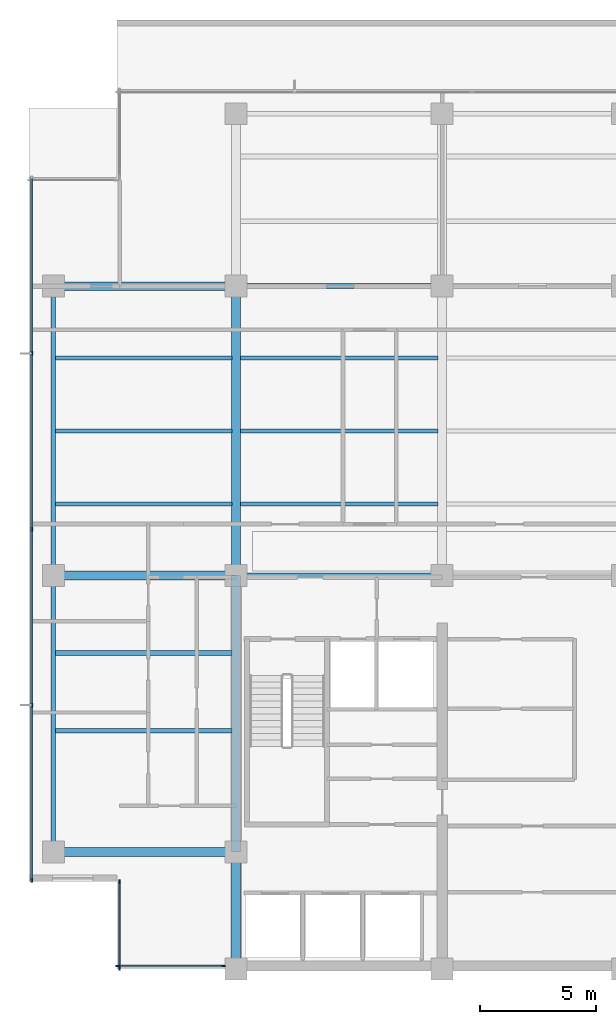
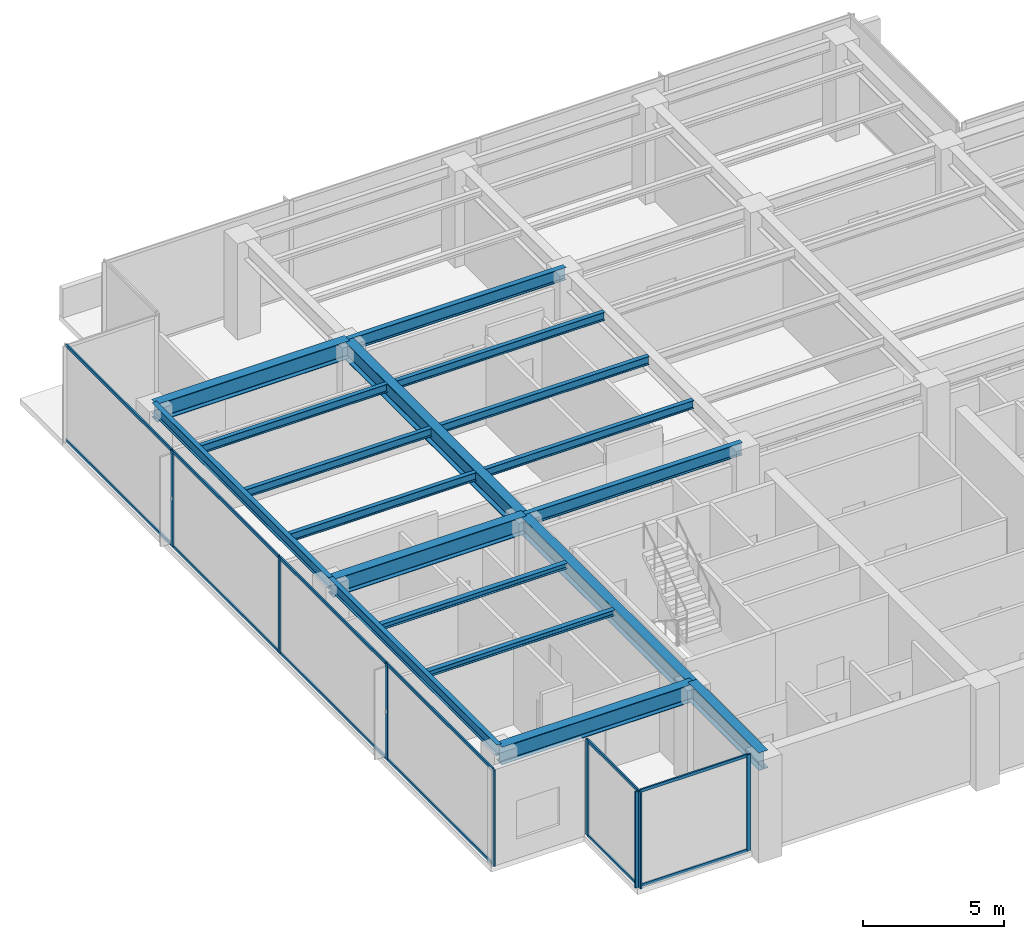
# One storey, part 2 of 14: 20 members, 18 beams, 3 elements without a shape of their own.
"""IFC4 building model written with IfcOpenShell, lengths in metres."""

from ifc_helpers import new_model, si_unit, direction, frame, origin, origin_2d, place, context, subcontext, project, spatial, rectangle, i_section, extrude, material, layer, layer_set, material_profile, profile_set, type_object, element, aggregate, save


model = new_model("IFC4")

# Units and contexts
model_context = context("Model", 3, precision=1e-05, world=origin(), true_north=direction((0.0, 1.0)))
body_context = subcontext(model_context, "Body", "Model", "MODEL_VIEW")
ifc_project = project(units=[si_unit("LENGTHUNIT", "METRE"), si_unit("AREAUNIT", "SQUARE_METRE"), si_unit("VOLUMEUNIT", "CUBIC_METRE"), si_unit("PLANEANGLEUNIT", "RADIAN"), si_unit("MASSUNIT", "GRAM", prefix="KILO")], contexts=[model_context])

# Site, building, storey
site_placement = place(None, origin())
site = spatial("IfcSite", under=ifc_project, at=site_placement, CompositionType="ELEMENT")
building_placement = place(site_placement, origin())
building = spatial("IfcBuilding", under=site, at=building_placement, Name="Qalmaran Belvedere Hotel", CompositionType="ELEMENT")
storey_placement = place(building_placement, frame((0.0, 0.0, 192.5)))
storey = spatial("IfcBuildingStorey", under=building, at=storey_placement, Name="L48", CompositionType="ELEMENT", Elevation=192.5)

# Beams
ifc_material_1 = material(Name="Steel S355JR", Category="steel")
ifc_material_profile_1 = material_profile(ifc_material_1, i_section(OverallWidth=0.201904296875, OverallDepth=0.2470703125, WebThickness=0.00732421875, FlangeThickness=0.010986328125, FilletRadius=0.011962890625, at=origin_2d()), Name="W250X49")
ifc_profile_set_1 = profile_set([ifc_material_profile_1], Name="Steel S355JR")
beam_type_1 = type_object("IfcBeamType", Name="BM-JST-W250X49", PredefinedType="JOIST", material=ifc_profile_set_1)
for number, where, z_axis, x_axis, name in (
    (1, (12.493896484375, 13.800048828125, 4.03662109375), (1.0, 0.0, 0.0), (0.0, 1.0, 0.0), "L48 West Wing Joist 043"),
    (2, (12.493896484375, 17.14990234375, 4.03662109375), (1.0, 0.0, 0.0), (0.0, 1.0, 0.0), "L48 West Wing Joist 045"),
):
    element("IfcBeam", number, at=place(storey_placement, frame(where, z_axis=z_axis, x_axis=x_axis)), inside=storey, type_object=beam_type_1, Name=name, PredefinedType="JOIST", context=body_context, shape_type="SweptSolid", body=[
        extrude(i_section(OverallWidth=0.201904296875, OverallDepth=0.2470703125, WebThickness=0.00732421875, FlangeThickness=0.010986328125, FilletRadius=0.011962890625, at=origin_2d()), origin(), (0.0, 0.0, 1.0), 7.61767578125),
    ])
ifc_material_profile_2 = material_profile(ifc_material_1, i_section(OverallWidth=0.381103515625, OverallDepth=0.77294921875, WebThickness=0.0166015625, FlangeThickness=0.027099609375, FilletRadius=0.02197265625, at=origin_2d()), Name="W760X257")
ifc_profile_set_2 = profile_set([ifc_material_profile_2], Name="Steel S355JR")
beam_type_2 = type_object("IfcBeamType", Name="BM-PG4-W760X257", PredefinedType="USERDEFINED", material=ifc_profile_set_2)
beam_1_placement = place(storey_placement, frame((20.300048828125, 20.5, 3.7734375), z_axis=(0.0, 1.0, 0.0), x_axis=(-1.0, 0.0, 0.0)))
element("IfcBeam", 3, at=beam_1_placement, inside=storey, type_object=beam_type_2, Name="L48 Mid-Plate N-S Girder 14", ObjectType="GIRDER", PredefinedType="USERDEFINED", context=body_context, shape_type="SweptSolid", body=[
    extrude(i_section(OverallWidth=0.381103515625, OverallDepth=0.77294921875, WebThickness=0.0166015625, FlangeThickness=0.027099609375, FilletRadius=0.02197265625, at=origin_2d()), origin(), (0.0, 0.0, 1.0), 12.5),
])
for number, where, z_axis, x_axis, name in (
    (4, (12.39990234375, 8.550048828125, 3.7734375), (1.0, 0.0, 0.0), (0.0, 1.0, 0.0), "L48 West Wing Girder 22"),
    (5, (12.39990234375, 20.5, 3.7734375), (1.0, 0.0, 0.0), (0.0, 1.0, 0.0), "L48 West Wing Girder 23"),
    (6, (12.39990234375, 33.0, 3.7734375), (1.0, 0.0, 0.0), (0.0, 1.0, 0.0), "L48 West Wing Girder 24"),
):
    element("IfcBeam", number, at=place(storey_placement, frame(where, z_axis=z_axis, x_axis=x_axis)), inside=storey, type_object=beam_type_2, Name=name, ObjectType="GIRDER", PredefinedType="USERDEFINED", context=body_context, shape_type="SweptSolid", body=[
        extrude(i_section(OverallWidth=0.381103515625, OverallDepth=0.77294921875, WebThickness=0.0166015625, FlangeThickness=0.027099609375, FilletRadius=0.02197265625, at=origin_2d()), origin(), (0.0, 0.0, 1.0), 7.900146484375),
    ])
beam_2_placement = place(storey_placement, frame((20.300048828125, 3.5, 3.7734375), z_axis=(0.0, 1.0, 0.0), x_axis=(-1.0, 0.0, 0.0)))
element("IfcBeam", 7, at=beam_2_placement, inside=storey, type_object=beam_type_2, Name="L48 West Core Edge Girder A", ObjectType="GIRDER", PredefinedType="USERDEFINED", context=body_context, shape_type="SweptSolid", body=[
    extrude(i_section(OverallWidth=0.381103515625, OverallDepth=0.77294921875, WebThickness=0.0166015625, FlangeThickness=0.027099609375, FilletRadius=0.02197265625, at=origin_2d()), origin(), (0.0, 0.0, 1.0), 5.050048828125),
])
beam_3_placement = place(storey_placement, frame((20.300048828125, 8.550048828125, 3.7734375), z_axis=(0.0, 1.0, 0.0), x_axis=(-1.0, 0.0, 0.0)))
element("IfcBeam", 8, at=beam_3_placement, inside=storey, type_object=beam_type_2, Name="L48 West Core Edge Girder B", ObjectType="GIRDER", PredefinedType="USERDEFINED", context=body_context, shape_type="SweptSolid", body=[
    extrude(i_section(OverallWidth=0.381103515625, OverallDepth=0.77294921875, WebThickness=0.0166015625, FlangeThickness=0.027099609375, FilletRadius=0.02197265625, at=origin_2d()), origin(), (0.0, 0.0, 1.0), 11.949951171875),
])
ifc_material_profile_3 = material_profile(ifc_material_1, i_section(OverallWidth=0.172119140625, OverallDepth=0.35791015625, WebThickness=0.0078125, FlangeThickness=0.01318359375, FilletRadius=0.014892578125, at=origin_2d()), Name="W360X57")
ifc_profile_set_3 = profile_set([ifc_material_profile_3], Name="Steel S355JR")
beam_type_3 = type_object("IfcBeamType", Name="BM-SB4-W360X57", PredefinedType="BEAM", material=ifc_profile_set_3)
beam_4_placement = place(storey_placement, frame((12.493896484375, 23.60009765625, 3.98095703125), z_axis=(1.0, 0.0, 0.0), x_axis=(0.0, 1.0, 0.0)))
element("IfcBeam", 9, at=beam_4_placement, inside=storey, type_object=beam_type_3, Name="L48 West Secondary Beam 028", PredefinedType="BEAM", context=body_context, shape_type="SweptSolid", body=[
    extrude(i_section(OverallWidth=0.172119140625, OverallDepth=0.35791015625, WebThickness=0.0078125, FlangeThickness=0.01318359375, FilletRadius=0.014892578125, at=origin_2d()), origin(), (0.0, 0.0, 1.0), 7.61767578125),
])
beam_5_placement = place(storey_placement, frame((20.488525390625, 23.60009765625, 3.98095703125), z_axis=(1.0, 0.0, 0.0), x_axis=(0.0, 1.0, 0.0)))
element("IfcBeam", 10, at=beam_5_placement, inside=storey, type_object=beam_type_3, Name="L48 Secondary Floor Beam 029", PredefinedType="BEAM", context=body_context, shape_type="SweptSolid", body=[
    extrude(i_section(OverallWidth=0.172119140625, OverallDepth=0.35791015625, WebThickness=0.0078125, FlangeThickness=0.01318359375, FilletRadius=0.014892578125, at=origin_2d()), origin(), (0.0, 0.0, 1.0), 8.52294921875),
])
beam_6_placement = place(storey_placement, frame((12.493896484375, 26.75, 3.98095703125), z_axis=(1.0, 0.0, 0.0), x_axis=(0.0, 1.0, 0.0)))
element("IfcBeam", 11, at=beam_6_placement, inside=storey, type_object=beam_type_3, Name="L48 West Secondary Beam 033", PredefinedType="BEAM", context=body_context, shape_type="SweptSolid", body=[
    extrude(i_section(OverallWidth=0.172119140625, OverallDepth=0.35791015625, WebThickness=0.0078125, FlangeThickness=0.01318359375, FilletRadius=0.014892578125, at=origin_2d()), origin(), (0.0, 0.0, 1.0), 7.61767578125),
])
beam_7_placement = place(storey_placement, frame((20.488525390625, 26.75, 3.98095703125), z_axis=(1.0, 0.0, 0.0), x_axis=(0.0, 1.0, 0.0)))
element("IfcBeam", 12, at=beam_7_placement, inside=storey, type_object=beam_type_3, Name="L48 Secondary Floor Beam 034", PredefinedType="BEAM", context=body_context, shape_type="SweptSolid", body=[
    extrude(i_section(OverallWidth=0.172119140625, OverallDepth=0.35791015625, WebThickness=0.0078125, FlangeThickness=0.01318359375, FilletRadius=0.014892578125, at=origin_2d()), origin(), (0.0, 0.0, 1.0), 8.52294921875),
])
beam_8_placement = place(storey_placement, frame((12.493896484375, 29.89990234375, 3.98095703125), z_axis=(1.0, 0.0, 0.0), x_axis=(0.0, 1.0, 0.0)))
element("IfcBeam", 13, at=beam_8_placement, inside=storey, type_object=beam_type_3, Name="L48 West Secondary Beam 038", PredefinedType="BEAM", context=body_context, shape_type="SweptSolid", body=[
    extrude(i_section(OverallWidth=0.172119140625, OverallDepth=0.35791015625, WebThickness=0.0078125, FlangeThickness=0.01318359375, FilletRadius=0.014892578125, at=origin_2d()), origin(), (0.0, 0.0, 1.0), 7.61767578125),
])
beam_9_placement = place(storey_placement, frame((20.488525390625, 29.89990234375, 3.98095703125), z_axis=(1.0, 0.0, 0.0), x_axis=(0.0, 1.0, 0.0)))
element("IfcBeam", 14, at=beam_9_placement, inside=storey, type_object=beam_type_3, Name="L48 Secondary Floor Beam 039", PredefinedType="BEAM", context=body_context, shape_type="SweptSolid", body=[
    extrude(i_section(OverallWidth=0.172119140625, OverallDepth=0.35791015625, WebThickness=0.0078125, FlangeThickness=0.01318359375, FilletRadius=0.014892578125, at=origin_2d()), origin(), (0.0, 0.0, 1.0), 8.52294921875),
])
ifc_material_profile_4 = material_profile(ifc_material_1, i_section(OverallWidth=0.19189453125, OverallDepth=0.462890625, WebThickness=0.010498046875, FlangeThickness=0.017578125, FilletRadius=0.01611328125, at=origin_2d()), Name="W460X89")
ifc_profile_set_4 = profile_set([ifc_material_profile_4], Name="Steel S355JR")
beam_type_4 = type_object("IfcBeamType", Name="BM-SP2-W460X89", PredefinedType="SPANDREL", material=ifc_profile_set_4)
beam_10_placement = place(storey_placement, frame((12.39990234375, 8.550048828125, 3.928466796875), z_axis=(0.0, 1.0, 0.0), x_axis=(-1.0, 0.0, 0.0)))
element("IfcBeam", 15, at=beam_10_placement, inside=storey, type_object=beam_type_4, Name="L48 Perimeter Spandrel 01", PredefinedType="SPANDREL", context=body_context, shape_type="SweptSolid", body=[
    extrude(i_section(OverallWidth=0.19189453125, OverallDepth=0.462890625, WebThickness=0.010498046875, FlangeThickness=0.017578125, FilletRadius=0.01611328125, at=origin_2d()), origin(), (0.0, 0.0, 1.0), 11.949951171875),
])
beam_11_placement = place(storey_placement, frame((12.39990234375, 20.5, 3.928466796875), z_axis=(0.0, 1.0, 0.0), x_axis=(-1.0, 0.0, 0.0)))
element("IfcBeam", 16, at=beam_11_placement, inside=storey, type_object=beam_type_4, Name="L48 Perimeter Spandrel 02", PredefinedType="SPANDREL", context=body_context, shape_type="SweptSolid", body=[
    extrude(i_section(OverallWidth=0.19189453125, OverallDepth=0.462890625, WebThickness=0.010498046875, FlangeThickness=0.017578125, FilletRadius=0.01611328125, at=origin_2d()), origin(), (0.0, 0.0, 1.0), 12.5),
])
ifc_material_profile_5 = material_profile(ifc_material_1, i_section(OverallWidth=0.2109375, OverallDepth=0.5390625, WebThickness=0.01171875, FlangeThickness=0.018798828125, FilletRadius=0.01806640625, at=origin_2d()), Name="W530X109")
ifc_profile_set_5 = profile_set([ifc_material_profile_5], Name="Steel S355JR")
beam_type_5 = type_object("IfcBeamType", Name="BM-Z4-W530X109", PredefinedType="USERDEFINED", material=ifc_profile_set_5)
for number, where, z_axis, x_axis, name in (
    (17, (20.300048828125, 20.5, 3.890380859375), (1.0, 0.0, 0.0), (0.0, 1.0, 0.0), "L48 Interior E-W Girder 08"),
    (18, (20.300048828125, 33.0, 3.890380859375), (1.0, 0.0, 0.0), (0.0, 1.0, 0.0), "L48 Interior E-W Girder 11"),
):
    element("IfcBeam", number, at=place(storey_placement, frame(where, z_axis=z_axis, x_axis=x_axis)), inside=storey, type_object=beam_type_5, Name=name, ObjectType="GIRDER", PredefinedType="USERDEFINED", context=body_context, shape_type="SweptSolid", body=[
        extrude(i_section(OverallWidth=0.2109375, OverallDepth=0.5390625, WebThickness=0.01171875, FlangeThickness=0.018798828125, FilletRadius=0.01806640625, at=origin_2d()), origin(), (0.0, 0.0, 1.0), 8.89990234375),
    ])

# Curtain wall, members
ifc_material_2 = material(Name="Anodised Bronze Aluminium", Category="aluminium")
ifc_layer = layer(ifc_material_2, 0.18994140625, Name="Anodised Bronze Aluminium")
ifc_layer_set = layer_set([ifc_layer], Name="Anodised Bronze Aluminium")
curtain_wall_type = type_object("IfcCurtainWallType", Name="CW5-TOWER-UPPER", PredefinedType="NOTDEFINED", material=ifc_layer_set)
curtain_wall_1_placement = place(storey_placement, origin())
curtain_wall_1 = element("IfcCurtainWall", 19, at=curtain_wall_1_placement, inside=storey, type_object=curtain_wall_type, Name="L48 Curtain Wall CW5", PredefinedType="NOTDEFINED")
ifc_material_profile_6 = material_profile(ifc_material_2, rectangle(XDim=0.06494140625, YDim=0.1650390625, at=origin_2d()), Name="CWM65X165")
ifc_profile_set_6 = profile_set([ifc_material_profile_6], Name="Anodised Bronze Aluminium")
member_type_1 = type_object("IfcMemberType", Name="CWM-65X165", PredefinedType="MULLION", material=ifc_profile_set_6)
member_1_placement = place(storey_placement, frame((15.1826171875, 3.6201171875, 0.0), z_axis=(0.0, 0.0, 1.0), x_axis=(0.0, 1.0, 0.0)))
member_1 = element("IfcMember", 20, at=member_1_placement, type_object=member_type_1, Name="CW5 mullion 1", PredefinedType="MULLION", context=body_context, shape_type="SweptSolid", body=[
    extrude(rectangle(XDim=0.06494140625, YDim=0.1650390625, at=origin_2d()), origin(), (0.0, 0.0, 1.0), 4.159912109375),
])
member_2_placement = place(storey_placement, frame((19.75244140625, 3.6201171875, 0.0), z_axis=(0.0, 0.0, 1.0), x_axis=(0.0, 1.0, 0.0)))
member_2 = element("IfcMember", 21, at=member_2_placement, type_object=member_type_1, Name="CW5 mullion 2", PredefinedType="MULLION", context=body_context, shape_type="SweptSolid", body=[
    extrude(rectangle(XDim=0.06494140625, YDim=0.1650390625, at=origin_2d()), origin(), (0.0, 0.0, 1.0), 4.159912109375),
])

curtain_wall_2_placement = place(storey_placement, origin())
curtain_wall_2 = element("IfcCurtainWall", 22, at=curtain_wall_2_placement, inside=storey, type_object=curtain_wall_type, Name="L48 Curtain Wall CW5", PredefinedType="NOTDEFINED")
member_3_placement = place(storey_placement, frame((11.469970703125, 30.10009765625, 0.0), z_axis=(0.0, 0.0, 1.0), x_axis=(1.0, 0.0, 0.0)))
member_3 = element("IfcMember", 23, at=member_3_placement, type_object=member_type_1, Name="CW5 mullion 2", PredefinedType="MULLION", context=body_context, shape_type="SweptSolid", body=[
    extrude(rectangle(XDim=0.06494140625, YDim=0.1650390625, at=origin_2d()), origin(), (0.0, 0.0, 1.0), 4.159912109375),
])
member_4_placement = place(storey_placement, frame((11.469970703125, 22.5, 0.0), z_axis=(0.0, 0.0, 1.0), x_axis=(1.0, 0.0, 0.0)))
member_4 = element("IfcMember", 24, at=member_4_placement, type_object=member_type_1, Name="CW5 mullion 3", PredefinedType="MULLION", context=body_context, shape_type="SweptSolid", body=[
    extrude(rectangle(XDim=0.06494140625, YDim=0.1650390625, at=origin_2d()), origin(), (0.0, 0.0, 1.0), 4.159912109375),
])
member_5_placement = place(storey_placement, frame((11.469970703125, 14.89990234375, 0.0), z_axis=(0.0, 0.0, 1.0), x_axis=(1.0, 0.0, 0.0)))
member_5 = element("IfcMember", 25, at=member_5_placement, type_object=member_type_1, Name="CW5 mullion 4", PredefinedType="MULLION", context=body_context, shape_type="SweptSolid", body=[
    extrude(rectangle(XDim=0.06494140625, YDim=0.1650390625, at=origin_2d()), origin(), (0.0, 0.0, 1.0), 4.159912109375),
])
member_6_placement = place(storey_placement, frame((11.469970703125, 7.33251953125, 0.0), z_axis=(0.0, 0.0, 1.0), x_axis=(1.0, 0.0, 0.0)))
member_6 = element("IfcMember", 26, at=member_6_placement, type_object=member_type_1, Name="CW5 mullion 5", PredefinedType="MULLION", context=body_context, shape_type="SweptSolid", body=[
    extrude(rectangle(XDim=0.06494140625, YDim=0.1650390625, at=origin_2d()), origin(), (0.0, 0.0, 1.0), 4.159912109375),
])

curtain_wall_3_placement = place(storey_placement, origin())
curtain_wall_3 = element("IfcCurtainWall", 27, at=curtain_wall_3_placement, inside=storey, type_object=curtain_wall_type, Name="L48 Curtain Wall CW5", PredefinedType="NOTDEFINED")
member_7_placement = place(storey_placement, frame((15.27001953125, 7.267578125, 0.0), z_axis=(0.0, 0.0, 1.0), x_axis=(1.0, 0.0, 0.0)))
member_7 = element("IfcMember", 28, at=member_7_placement, type_object=member_type_1, Name="CW5 mullion 1", PredefinedType="MULLION", context=body_context, shape_type="SweptSolid", body=[
    extrude(rectangle(XDim=0.06494140625, YDim=0.1650390625, at=origin_2d()), origin(), (0.0, 0.0, 1.0), 4.159912109375),
])
member_8_placement = place(storey_placement, frame((15.27001953125, 3.532470703125, 0.0), z_axis=(0.0, 0.0, 1.0), x_axis=(1.0, 0.0, 0.0)))
member_8 = element("IfcMember", 29, at=member_8_placement, type_object=member_type_1, Name="CW5 mullion 2", PredefinedType="MULLION", context=body_context, shape_type="SweptSolid", body=[
    extrude(rectangle(XDim=0.06494140625, YDim=0.1650390625, at=origin_2d()), origin(), (0.0, 0.0, 1.0), 4.159912109375),
])

# Member
ifc_material_profile_7 = material_profile(ifc_material_2, rectangle(XDim=0.06494140625, YDim=0.1298828125, at=origin_2d()), Name="CWT65X130")
ifc_profile_set_7 = profile_set([ifc_material_profile_7], Name="Anodised Bronze Aluminium")
member_type_2 = type_object("IfcMemberType", Name="CWT-65X130", PredefinedType="USERDEFINED", material=ifc_profile_set_7)
member_9_placement = place(storey_placement, frame((15.215087890625, 3.6201171875, 0.032470703125), z_axis=(1.0, 0.0, 0.0), x_axis=(0.0, 1.0, 0.0)))
member_9 = element("IfcMember", 30, at=member_9_placement, type_object=member_type_2, Name="CW5 transom 1.1", ObjectType="TRANSOM", PredefinedType="USERDEFINED", context=body_context, shape_type="SweptSolid", body=[
    extrude(rectangle(XDim=0.06494140625, YDim=0.1298828125, at=origin_2d()), origin(), (0.0, 0.0, 1.0), 4.5048828125),
])

member_10_placement = place(storey_placement, frame((15.215087890625, 3.6201171875, 4.12744140625), z_axis=(1.0, 0.0, 0.0), x_axis=(0.0, 1.0, 0.0)))
member_10 = element("IfcMember", 31, at=member_10_placement, type_object=member_type_2, Name="CW5 transom 1.2", ObjectType="TRANSOM", PredefinedType="USERDEFINED", context=body_context, shape_type="SweptSolid", body=[
    extrude(rectangle(XDim=0.06494140625, YDim=0.1298828125, at=origin_2d()), origin(), (0.0, 0.0, 1.0), 4.5048828125),
])

aggregate(curtain_wall_1, [member_1, member_2, member_9, member_10])

member_11_placement = place(storey_placement, frame((11.469970703125, 37.635009765625, 0.032470703125), z_axis=(0.0, -1.0, 0.0), x_axis=(1.0, 0.0, 0.0)))
member_11 = element("IfcMember", 32, at=member_11_placement, type_object=member_type_2, Name="CW5 transom 1.1", ObjectType="TRANSOM", PredefinedType="USERDEFINED", context=body_context, shape_type="SweptSolid", body=[
    extrude(rectangle(XDim=0.06494140625, YDim=0.1298828125, at=origin_2d()), origin(), (0.0, 0.0, 1.0), 7.50244140625),
])

member_12_placement = place(storey_placement, frame((11.469970703125, 37.635009765625, 4.12744140625), z_axis=(0.0, -1.0, 0.0), x_axis=(1.0, 0.0, 0.0)))
member_12 = element("IfcMember", 33, at=member_12_placement, type_object=member_type_2, Name="CW5 transom 1.2", ObjectType="TRANSOM", PredefinedType="USERDEFINED", context=body_context, shape_type="SweptSolid", body=[
    extrude(rectangle(XDim=0.06494140625, YDim=0.1298828125, at=origin_2d()), origin(), (0.0, 0.0, 1.0), 7.50244140625),
])

member_13_placement = place(storey_placement, frame((11.469970703125, 30.0673828125, 0.032470703125), z_axis=(0.0, -1.0, 0.0), x_axis=(1.0, 0.0, 0.0)))
member_13 = element("IfcMember", 34, at=member_13_placement, type_object=member_type_2, Name="CW5 transom 2.1", ObjectType="TRANSOM", PredefinedType="USERDEFINED", context=body_context, shape_type="SweptSolid", body=[
    extrude(rectangle(XDim=0.06494140625, YDim=0.1298828125, at=origin_2d()), origin(), (0.0, 0.0, 1.0), 7.534912109375),
])

member_14_placement = place(storey_placement, frame((11.469970703125, 30.0673828125, 4.12744140625), z_axis=(0.0, -1.0, 0.0), x_axis=(1.0, 0.0, 0.0)))
member_14 = element("IfcMember", 35, at=member_14_placement, type_object=member_type_2, Name="CW5 transom 2.2", ObjectType="TRANSOM", PredefinedType="USERDEFINED", context=body_context, shape_type="SweptSolid", body=[
    extrude(rectangle(XDim=0.06494140625, YDim=0.1298828125, at=origin_2d()), origin(), (0.0, 0.0, 1.0), 7.534912109375),
])

member_15_placement = place(storey_placement, frame((11.469970703125, 22.467529296875, 0.032470703125), z_axis=(0.0, -1.0, 0.0), x_axis=(1.0, 0.0, 0.0)))
member_15 = element("IfcMember", 36, at=member_15_placement, type_object=member_type_2, Name="CW5 transom 3.1", ObjectType="TRANSOM", PredefinedType="USERDEFINED", context=body_context, shape_type="SweptSolid", body=[
    extrude(rectangle(XDim=0.06494140625, YDim=0.1298828125, at=origin_2d()), origin(), (0.0, 0.0, 1.0), 7.534912109375),
])

member_16_placement = place(storey_placement, frame((11.469970703125, 22.467529296875, 4.12744140625), z_axis=(0.0, -1.0, 0.0), x_axis=(1.0, 0.0, 0.0)))
member_16 = element("IfcMember", 37, at=member_16_placement, type_object=member_type_2, Name="CW5 transom 3.2", ObjectType="TRANSOM", PredefinedType="USERDEFINED", context=body_context, shape_type="SweptSolid", body=[
    extrude(rectangle(XDim=0.06494140625, YDim=0.1298828125, at=origin_2d()), origin(), (0.0, 0.0, 1.0), 7.534912109375),
])

member_17_placement = place(storey_placement, frame((11.469970703125, 14.867431640625, 0.032470703125), z_axis=(0.0, -1.0, 0.0), x_axis=(1.0, 0.0, 0.0)))
member_17 = element("IfcMember", 38, at=member_17_placement, type_object=member_type_2, Name="CW5 transom 4.1", ObjectType="TRANSOM", PredefinedType="USERDEFINED", context=body_context, shape_type="SweptSolid", body=[
    extrude(rectangle(XDim=0.06494140625, YDim=0.1298828125, at=origin_2d()), origin(), (0.0, 0.0, 1.0), 7.50244140625),
])

member_18_placement = place(storey_placement, frame((11.469970703125, 14.867431640625, 4.12744140625), z_axis=(0.0, -1.0, 0.0), x_axis=(1.0, 0.0, 0.0)))
member_18 = element("IfcMember", 39, at=member_18_placement, type_object=member_type_2, Name="CW5 transom 4.2", ObjectType="TRANSOM", PredefinedType="USERDEFINED", context=body_context, shape_type="SweptSolid", body=[
    extrude(rectangle(XDim=0.06494140625, YDim=0.1298828125, at=origin_2d()), origin(), (0.0, 0.0, 1.0), 7.50244140625),
])

aggregate(curtain_wall_2, [member_3, member_4, member_5, member_6, member_11, member_12, member_13, member_14, member_15, member_16, member_17, member_18])

member_19_placement = place(storey_placement, frame((15.27001953125, 7.235107421875, 0.032470703125), z_axis=(0.0, -1.0, 0.0), x_axis=(1.0, 0.0, 0.0)))
member_19 = element("IfcMember", 40, at=member_19_placement, type_object=member_type_2, Name="CW5 transom 1.1", ObjectType="TRANSOM", PredefinedType="USERDEFINED", context=body_context, shape_type="SweptSolid", body=[
    extrude(rectangle(XDim=0.06494140625, YDim=0.1298828125, at=origin_2d()), origin(), (0.0, 0.0, 1.0), 3.670166015625),
])

member_20_placement = place(storey_placement, frame((15.27001953125, 7.235107421875, 4.12744140625), z_axis=(0.0, -1.0, 0.0), x_axis=(1.0, 0.0, 0.0)))
member_20 = element("IfcMember", 41, at=member_20_placement, type_object=member_type_2, Name="CW5 transom 1.2", ObjectType="TRANSOM", PredefinedType="USERDEFINED", context=body_context, shape_type="SweptSolid", body=[
    extrude(rectangle(XDim=0.06494140625, YDim=0.1298828125, at=origin_2d()), origin(), (0.0, 0.0, 1.0), 3.670166015625),
])

aggregate(curtain_wall_3, [member_7, member_8, member_19, member_20])

save(model, "model.ifc")
